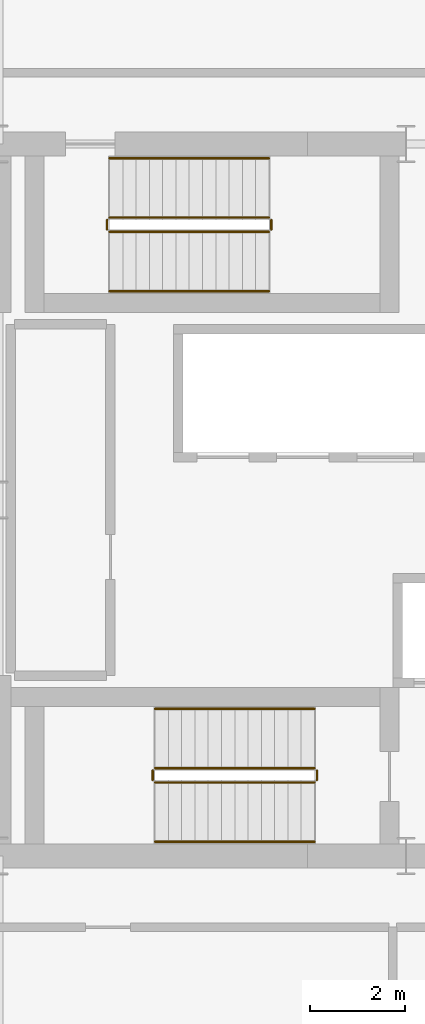
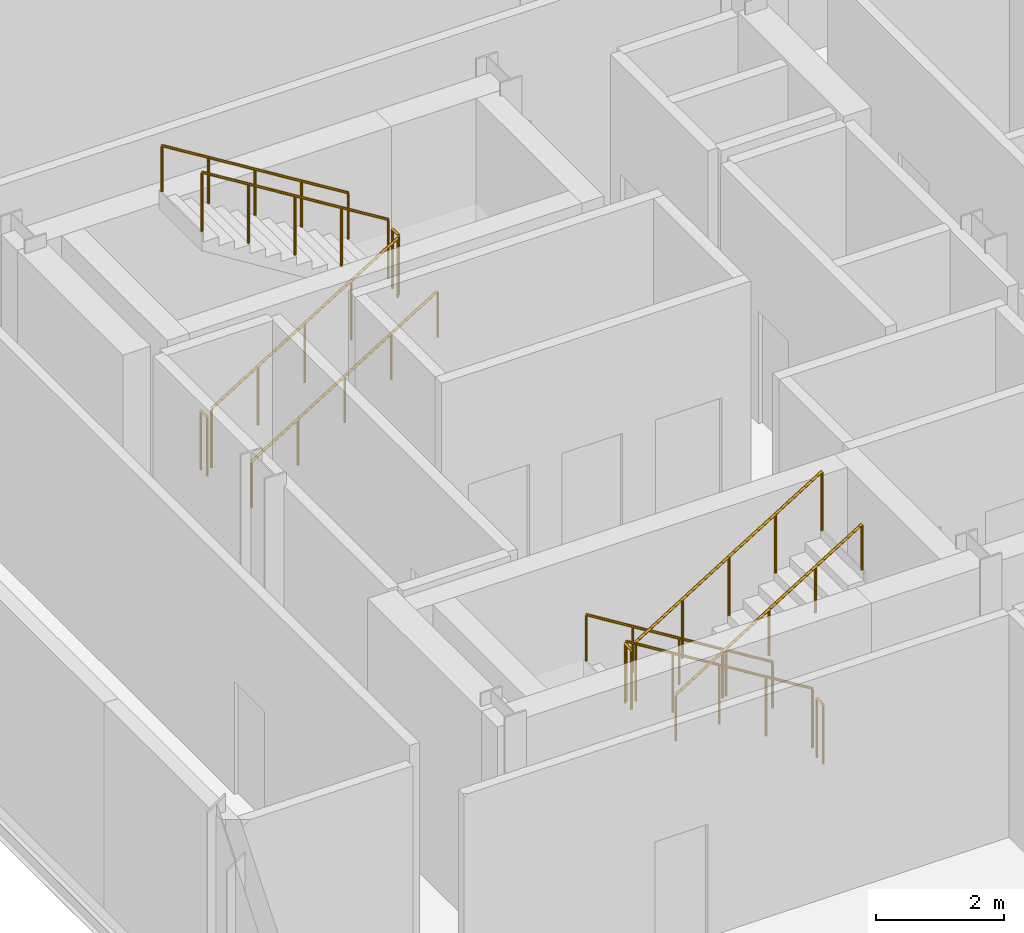
# One storey, part 9 of 10: 12 railings.
"""IFC4 building model written with IfcOpenShell, lengths in metres."""

from ifc_helpers import new_model, si_unit, direction, frame, origin, origin_2d, place, context, subcontext, project, spatial, circle, extrude, material, type_object, element, save


model = new_model("IFC4")

# Units and contexts
model_context = context("Model", 3, precision=1e-05, world=origin(), true_north=direction((0.0, 1.0)))
body_context = subcontext(model_context, "Body", "Model", "MODEL_VIEW")
ifc_project = project(units=[si_unit("LENGTHUNIT", "METRE"), si_unit("AREAUNIT", "SQUARE_METRE"), si_unit("VOLUMEUNIT", "CUBIC_METRE"), si_unit("PLANEANGLEUNIT", "RADIAN"), si_unit("MASSUNIT", "GRAM", prefix="KILO")], contexts=[model_context])

# Site, building, storey
site_placement = place(None, origin())
site = spatial("IfcSite", under=ifc_project, at=site_placement, CompositionType="ELEMENT")
building_placement = place(site_placement, origin())
building = spatial("IfcBuilding", under=site, at=building_placement, Name="Barlavira Tower and Art Museum", CompositionType="ELEMENT")
storey_placement = place(building_placement, frame((0.0, 0.0, 314.39990234375)))
storey = spatial("IfcBuildingStorey", under=building, at=storey_placement, Name="L82", CompositionType="ELEMENT", Elevation=314.39990234375)

# Railings
ifc_material = material(Name="Brushed stainless steel", Category="steel")
railing_type_1 = type_object("IfcRailingType", Name="Interior Void and Landing Guard Railing 1150", PredefinedType="GUARDRAIL", material=ifc_material)
railing_1_placement = place(storey_placement, frame((0.14990234375, -5.64990234375, 0.173095703125)))
element("IfcRailing", 1, at=railing_1_placement, inside=storey, type_object=railing_type_1, Name="L82 ST-T1 stair guard 1", PredefinedType="GUARDRAIL", context=body_context, shape_type="SweptSolid", body=[
    extrude(circle(Radius=0.02392578125, at=origin_2d()), frame((0.0, 0.0, 1.1259765625), z_axis=(-0.850606129759, 0.0, 0.525803396734), x_axis=(0.0, -1.0, 0.0)), (0.0, 0.0, 1.0), 3.949951171875),
    extrude(circle(Radius=0.02099609375, at=origin_2d()), origin(), (0.0, 0.0, 1.0), 1.101806640625),
    extrude(circle(Radius=0.02099609375, at=origin_2d()), frame((-0.83984375, 0.0, 0.519287109375)), (0.0, 0.0, 1.0), 1.101806640625),
    extrude(circle(Radius=0.02099609375, at=origin_2d()), frame((-1.679931640625, 0.0, 1.03857421875)), (0.0, 0.0, 1.0), 1.101806640625),
    extrude(circle(Radius=0.02099609375, at=origin_2d()), frame((-2.52001953125, 0.0, 1.5576171875)), (0.0, 0.0, 1.0), 1.101806640625),
    extrude(circle(Radius=0.02099609375, at=origin_2d()), frame((-3.35986328125, 0.0, 2.076904296875)), (0.0, 0.0, 1.0), 1.101806640625),
])
railing_2_placement = place(storey_placement, frame((-3.260009765625, -5.699951171875, 2.25)))
element("IfcRailing", 2, at=railing_2_placement, inside=storey, type_object=railing_type_1, Name="L82 ST-T1 stair guard 2", PredefinedType="GUARDRAIL", context=body_context, shape_type="SweptSolid", body=[
    extrude(circle(Radius=0.02392578125, at=origin_2d()), frame((0.0, 0.0, 1.1259765625), z_axis=(0.0, -1.0, 0.0), x_axis=(1.0, 0.0, 0.0)), (0.0, 0.0, 1.0), 0.199951171875),
    extrude(circle(Radius=0.02099609375, at=origin_2d()), origin(), (0.0, 0.0, 1.0), 1.101806640625),
    extrude(circle(Radius=0.02099609375, at=origin_2d()), frame((0.0, -0.199951171875, 0.0)), (0.0, 0.0, 1.0), 1.101806640625),
])
railing_3_placement = place(storey_placement, frame((-3.2099609375, -5.949951171875, 2.423095703125)))
element("IfcRailing", 3, at=railing_3_placement, inside=storey, type_object=railing_type_1, Name="L82 ST-T1 stair guard 3", PredefinedType="GUARDRAIL", context=body_context, shape_type="SweptSolid", body=[
    extrude(circle(Radius=0.02392578125, at=origin_2d()), frame((0.0, 0.0, 1.1259765625), z_axis=(0.850606129759, 0.0, 0.525803396734), x_axis=(0.0, 1.0, 0.0)), (0.0, 0.0, 1.0), 3.949951171875),
    extrude(circle(Radius=0.02099609375, at=origin_2d()), origin(), (0.0, 0.0, 1.0), 1.101806640625),
    extrude(circle(Radius=0.02099609375, at=origin_2d()), frame((0.83984375, 0.0, 0.519287109375)), (0.0, 0.0, 1.0), 1.101806640625),
    extrude(circle(Radius=0.02099609375, at=origin_2d()), frame((1.679931640625, 0.0, 1.03857421875)), (0.0, 0.0, 1.0), 1.101806640625),
    extrude(circle(Radius=0.02099609375, at=origin_2d()), frame((2.52001953125, 0.0, 1.5576171875)), (0.0, 0.0, 1.0), 1.101806640625),
    extrude(circle(Radius=0.02099609375, at=origin_2d()), frame((3.35986328125, 0.0, 2.076904296875)), (0.0, 0.0, 1.0), 1.101806640625),
])
railing_4_placement = place(storey_placement, frame((0.199951171875, -5.699951171875, 0.0)))
element("IfcRailing", 4, at=railing_4_placement, inside=storey, type_object=railing_type_1, Name="L82 ST-T1 stair guard 4", PredefinedType="GUARDRAIL", context=body_context, shape_type="SweptSolid", body=[
    extrude(circle(Radius=0.02392578125, at=origin_2d()), frame((0.0, 0.0, 1.1259765625), z_axis=(0.0, -1.0, 0.0), x_axis=(1.0, 0.0, 0.0)), (0.0, 0.0, 1.0), 0.199951171875),
    extrude(circle(Radius=0.02099609375, at=origin_2d()), origin(), (0.0, 0.0, 1.0), 1.101806640625),
    extrude(circle(Radius=0.02099609375, at=origin_2d()), frame((0.0, -0.199951171875, 0.0)), (0.0, 0.0, 1.0), 1.101806640625),
])
railing_5_placement = place(storey_placement, frame((-4.169921875, 5.64990234375, 0.173095703125)))
element("IfcRailing", 5, at=railing_5_placement, inside=storey, type_object=railing_type_1, Name="L82 ST-T2 stair guard 1", PredefinedType="GUARDRAIL", context=body_context, shape_type="SweptSolid", body=[
    extrude(circle(Radius=0.02392578125, at=origin_2d()), frame((0.0, 0.0, 1.1259765625), z_axis=(0.850606129759, 0.0, 0.525803396734), x_axis=(0.0, 1.0, 0.0)), (0.0, 0.0, 1.0), 3.949951171875),
    extrude(circle(Radius=0.02099609375, at=origin_2d()), origin(), (0.0, 0.0, 1.0), 1.101806640625),
    extrude(circle(Radius=0.02099609375, at=origin_2d()), frame((0.83984375, 0.0, 0.519287109375)), (0.0, 0.0, 1.0), 1.101806640625),
    extrude(circle(Radius=0.02099609375, at=origin_2d()), frame((1.679931640625, 0.0, 1.03857421875)), (0.0, 0.0, 1.0), 1.101806640625),
    extrude(circle(Radius=0.02099609375, at=origin_2d()), frame((2.52001953125, 0.0, 1.5576171875)), (0.0, 0.0, 1.0), 1.101806640625),
    extrude(circle(Radius=0.02099609375, at=origin_2d()), frame((3.35986328125, 0.0, 2.076904296875)), (0.0, 0.0, 1.0), 1.101806640625),
])
railing_6_placement = place(storey_placement, frame((-0.760009765625, 5.699951171875, 2.25)))
element("IfcRailing", 6, at=railing_6_placement, inside=storey, type_object=railing_type_1, Name="L82 ST-T2 stair guard 2", PredefinedType="GUARDRAIL", context=body_context, shape_type="SweptSolid", body=[
    extrude(circle(Radius=0.02392578125, at=origin_2d()), frame((0.0, 0.0, 1.1259765625), z_axis=(0.0, 1.0, 0.0), x_axis=(-1.0, 0.0, 0.0)), (0.0, 0.0, 1.0), 0.199951171875),
    extrude(circle(Radius=0.02099609375, at=origin_2d()), origin(), (0.0, 0.0, 1.0), 1.101806640625),
    extrude(circle(Radius=0.02099609375, at=origin_2d()), frame((0.0, 0.199951171875, 0.0)), (0.0, 0.0, 1.0), 1.101806640625),
])
railing_7_placement = place(storey_placement, frame((-0.81005859375, 5.949951171875, 2.423095703125)))
element("IfcRailing", 7, at=railing_7_placement, inside=storey, type_object=railing_type_1, Name="L82 ST-T2 stair guard 3", PredefinedType="GUARDRAIL", context=body_context, shape_type="SweptSolid", body=[
    extrude(circle(Radius=0.02392578125, at=origin_2d()), frame((0.0, 0.0, 1.1259765625), z_axis=(-0.850606129759, 0.0, 0.525803396734), x_axis=(0.0, -1.0, 0.0)), (0.0, 0.0, 1.0), 3.949951171875),
    extrude(circle(Radius=0.02099609375, at=origin_2d()), origin(), (0.0, 0.0, 1.0), 1.101806640625),
    extrude(circle(Radius=0.02099609375, at=origin_2d()), frame((-0.83984375, 0.0, 0.519287109375)), (0.0, 0.0, 1.0), 1.101806640625),
    extrude(circle(Radius=0.02099609375, at=origin_2d()), frame((-1.679931640625, 0.0, 1.03857421875)), (0.0, 0.0, 1.0), 1.101806640625),
    extrude(circle(Radius=0.02099609375, at=origin_2d()), frame((-2.52001953125, 0.0, 1.5576171875)), (0.0, 0.0, 1.0), 1.101806640625),
    extrude(circle(Radius=0.02099609375, at=origin_2d()), frame((-3.35986328125, 0.0, 2.076904296875)), (0.0, 0.0, 1.0), 1.101806640625),
])
railing_8_placement = place(storey_placement, frame((-4.219970703125, 5.699951171875, 0.0)))
element("IfcRailing", 8, at=railing_8_placement, inside=storey, type_object=railing_type_1, Name="L82 ST-T2 stair guard 4", PredefinedType="GUARDRAIL", context=body_context, shape_type="SweptSolid", body=[
    extrude(circle(Radius=0.02392578125, at=origin_2d()), frame((0.0, 0.0, 1.1259765625), z_axis=(0.0, 1.0, 0.0), x_axis=(-1.0, 0.0, 0.0)), (0.0, 0.0, 1.0), 0.199951171875),
    extrude(circle(Radius=0.02099609375, at=origin_2d()), origin(), (0.0, 0.0, 1.0), 1.101806640625),
    extrude(circle(Radius=0.02099609375, at=origin_2d()), frame((0.0, 0.199951171875, 0.0)), (0.0, 0.0, 1.0), 1.101806640625),
])
railing_type_2 = type_object("IfcRailingType", Name="Stair Pitch Tubular Steel Handrail 920", PredefinedType="HANDRAIL", material=ifc_material)
railing_9_placement = place(storey_placement, frame((0.14990234375, -4.39990234375, 0.173095703125)))
element("IfcRailing", 9, at=railing_9_placement, inside=storey, type_object=railing_type_2, Name="L82 ST-T1 stair handrail 1", PredefinedType="HANDRAIL", context=body_context, shape_type="SweptSolid", body=[
    extrude(circle(Radius=0.02392578125, at=origin_2d()), frame((0.0, 0.0, 0.8759765625), z_axis=(-0.850606129759, 0.0, 0.525803396734), x_axis=(0.0, -1.0, 0.0)), (0.0, 0.0, 1.0), 3.949951171875),
    extrude(circle(Radius=0.02099609375, at=origin_2d()), origin(), (0.0, 0.0, 1.0), 0.851806640625),
    extrude(circle(Radius=0.02099609375, at=origin_2d()), frame((-0.83984375, 0.0, 0.519287109375)), (0.0, 0.0, 1.0), 0.851806640625),
    extrude(circle(Radius=0.02099609375, at=origin_2d()), frame((-1.679931640625, 0.0, 1.03857421875)), (0.0, 0.0, 1.0), 0.851806640625),
    extrude(circle(Radius=0.02099609375, at=origin_2d()), frame((-2.52001953125, 0.0, 1.5576171875)), (0.0, 0.0, 1.0), 0.851806640625),
    extrude(circle(Radius=0.02099609375, at=origin_2d()), frame((-3.35986328125, 0.0, 2.076904296875)), (0.0, 0.0, 1.0), 0.851806640625),
])
for number, where, name in (
    (10, (-3.2099609375, -7.199951171875, 2.423095703125), "L82 ST-T1 stair handrail 2"),
    (11, (-4.169921875, 4.39990234375, 0.173095703125), "L82 ST-T2 stair handrail 1"),
):
    element("IfcRailing", number, at=place(storey_placement, frame(where)), inside=storey, type_object=railing_type_2, Name=name, PredefinedType="HANDRAIL", context=body_context, shape_type="SweptSolid", body=[
        extrude(circle(Radius=0.02392578125, at=origin_2d()), frame((0.0, 0.0, 0.8759765625), z_axis=(0.850606129759, 0.0, 0.525803396734), x_axis=(0.0, 1.0, 0.0)), (0.0, 0.0, 1.0), 3.949951171875),
        extrude(circle(Radius=0.02099609375, at=origin_2d()), origin(), (0.0, 0.0, 1.0), 0.851806640625),
        extrude(circle(Radius=0.02099609375, at=origin_2d()), frame((0.83984375, 0.0, 0.519287109375)), (0.0, 0.0, 1.0), 0.851806640625),
        extrude(circle(Radius=0.02099609375, at=origin_2d()), frame((1.679931640625, 0.0, 1.03857421875)), (0.0, 0.0, 1.0), 0.851806640625),
        extrude(circle(Radius=0.02099609375, at=origin_2d()), frame((2.52001953125, 0.0, 1.5576171875)), (0.0, 0.0, 1.0), 0.851806640625),
        extrude(circle(Radius=0.02099609375, at=origin_2d()), frame((3.35986328125, 0.0, 2.076904296875)), (0.0, 0.0, 1.0), 0.851806640625),
    ])
railing_10_placement = place(storey_placement, frame((-0.81005859375, 7.199951171875, 2.423095703125)))
element("IfcRailing", 12, at=railing_10_placement, inside=storey, type_object=railing_type_2, Name="L82 ST-T2 stair handrail 2", PredefinedType="HANDRAIL", context=body_context, shape_type="SweptSolid", body=[
    extrude(circle(Radius=0.02392578125, at=origin_2d()), frame((0.0, 0.0, 0.8759765625), z_axis=(-0.850606129759, 0.0, 0.525803396734), x_axis=(0.0, -1.0, 0.0)), (0.0, 0.0, 1.0), 3.949951171875),
    extrude(circle(Radius=0.02099609375, at=origin_2d()), origin(), (0.0, 0.0, 1.0), 0.851806640625),
    extrude(circle(Radius=0.02099609375, at=origin_2d()), frame((-0.83984375, 0.0, 0.519287109375)), (0.0, 0.0, 1.0), 0.851806640625),
    extrude(circle(Radius=0.02099609375, at=origin_2d()), frame((-1.679931640625, 0.0, 1.03857421875)), (0.0, 0.0, 1.0), 0.851806640625),
    extrude(circle(Radius=0.02099609375, at=origin_2d()), frame((-2.52001953125, 0.0, 1.5576171875)), (0.0, 0.0, 1.0), 0.851806640625),
    extrude(circle(Radius=0.02099609375, at=origin_2d()), frame((-3.35986328125, 0.0, 2.076904296875)), (0.0, 0.0, 1.0), 0.851806640625),
])

save(model, "model.ifc")
